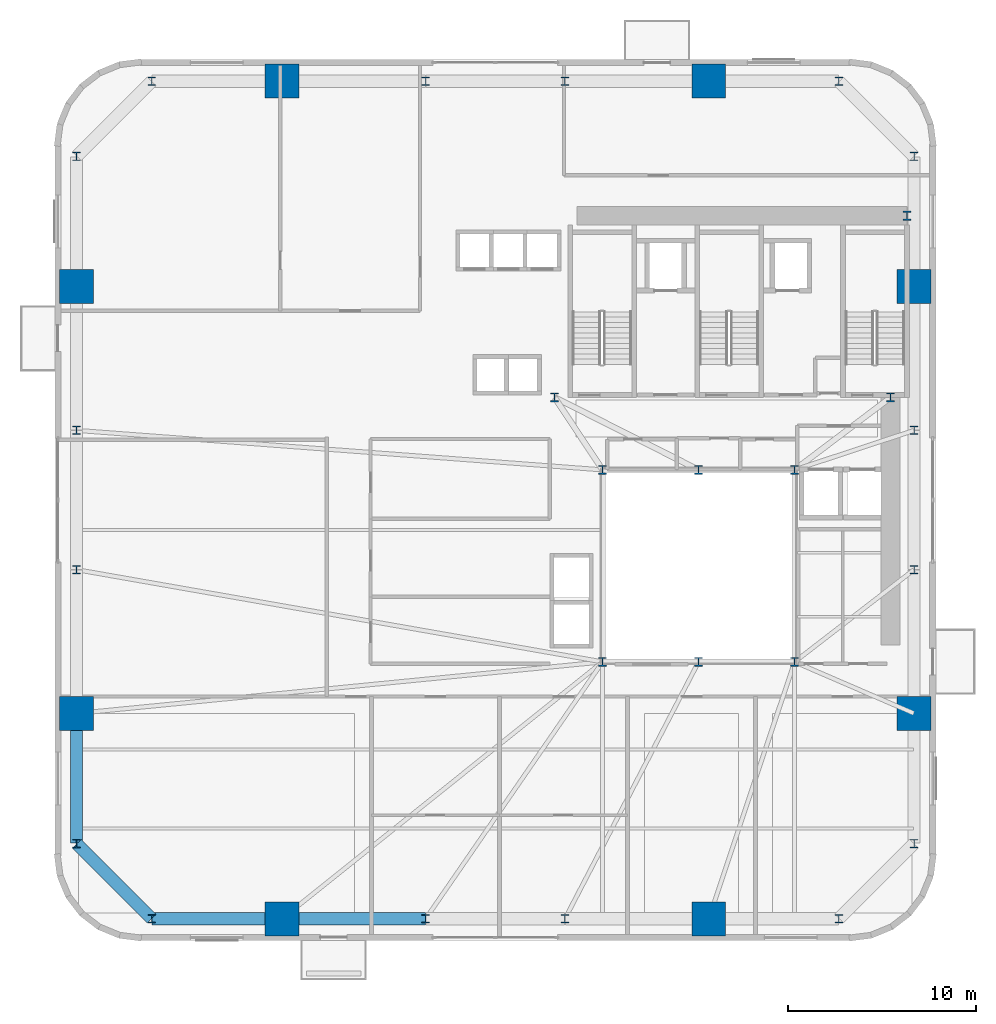
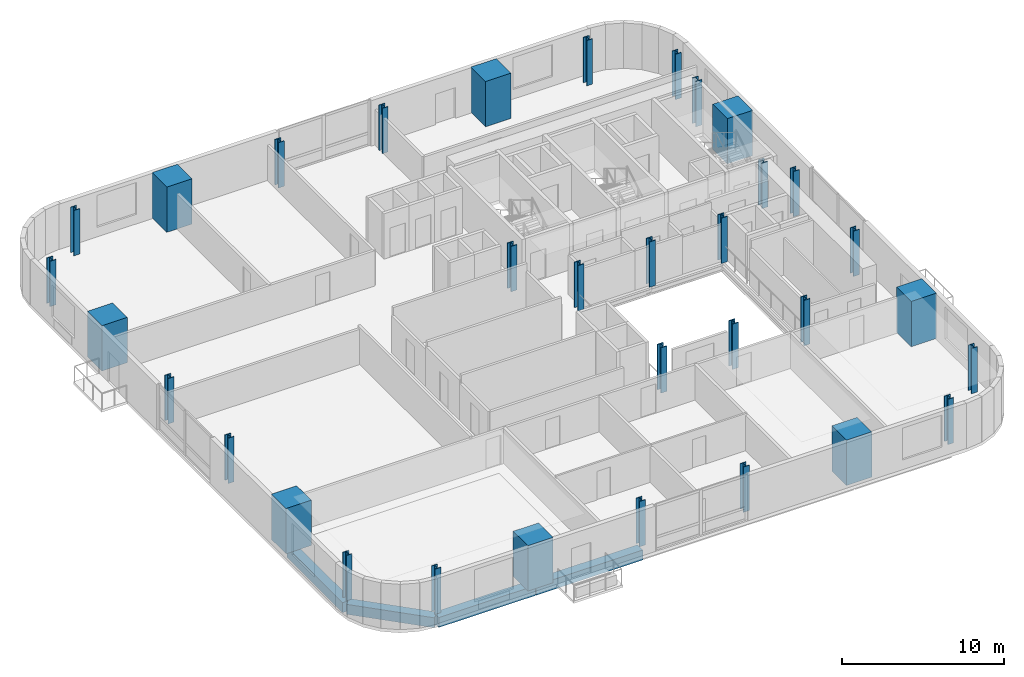
# One storey, part 1 of 11: 33 columns, 4 beams.
"""IFC4 building model written with IfcOpenShell, lengths in metres."""

from ifc_helpers import new_model, si_unit, direction, frame, origin, origin_2d, place, context, subcontext, project, spatial, rectangle, i_section, extrude, source, transform, mapped, material, material_profile, profile_set, type_object, element, save


model = new_model("IFC4")

# Units and contexts
model_context = context("Model", 3, precision=1e-05, world=origin(), true_north=direction((0.0, 1.0)))
body_context = subcontext(model_context, "Body", "Model", "MODEL_VIEW")
ifc_project = project(units=[si_unit("LENGTHUNIT", "METRE"), si_unit("AREAUNIT", "SQUARE_METRE"), si_unit("VOLUMEUNIT", "CUBIC_METRE"), si_unit("PLANEANGLEUNIT", "RADIAN"), si_unit("MASSUNIT", "GRAM", prefix="KILO")], contexts=[model_context])

# Site, building, storey
site_placement = place(None, origin())
site = spatial("IfcSite", under=ifc_project, at=site_placement, CompositionType="ELEMENT")
building_placement = place(site_placement, origin())
building = spatial("IfcBuilding", under=site, at=building_placement, Name="Vardaveli Station Tower", CompositionType="ELEMENT")
storey_placement = place(building_placement, frame((0.0, 0.0, 78.699951171875)))
storey = spatial("IfcBuildingStorey", under=building, at=storey_placement, Name="L20", CompositionType="ELEMENT", Elevation=78.699951171875)

# Columns
ifc_material_1 = material(Name="Structural steel S460M", Category="steel")
ifc_material_profile_1 = material_profile(ifc_material_1, i_section(OverallWidth=0.427978515625, OverallDepth=0.48095703125, WebThickness=0.03955078125, FlangeThickness=0.0634765625, FilletRadius=0.014892578125, at=origin_2d()), Name="HD 400x677")
ifc_profile_set_1 = profile_set([ifc_material_profile_1], Name="Structural steel S460M")
column_type_1 = type_object("IfcColumnType", Name="COL-HD677", PredefinedType="COLUMN", material=ifc_profile_set_1)
shared_shape_1 = source(origin(), body_context, "Body", "SweptSolid", [
    extrude(i_section(OverallWidth=0.427978515625, OverallDepth=0.48095703125, WebThickness=0.03955078125, FlangeThickness=0.0634765625, FilletRadius=0.014892578125, at=origin_2d()), origin(), (0.0, 0.0, 1.0), 3.41015625),
])
for number, where, z_axis, x_axis, name in (
    (1, (31.199951171875, 16.60009765625, 0.0), (0.0, 0.0, 1.0), (1.0, 0.0, 0.0), "COL-L20-AC1"),
    (2, (36.300048828125, 16.60009765625, 0.0), (0.0, 0.0, 1.0), (1.0, 0.0, 0.0), "COL-L20-AC2"),
    (3, (41.39990234375, 16.60009765625, 0.0), (0.0, 0.0, 1.0), (1.0, 0.0, 0.0), "COL-L20-AC3"),
    (4, (41.39990234375, 26.800048828125, 0.0), (0.0, 0.0, 1.0), (1.0, 0.0, 0.0), "COL-L20-AC4"),
    (5, (36.300048828125, 26.800048828125, 0.0), (0.0, 0.0, 1.0), (1.0, 0.0, 0.0), "COL-L20-AC5"),
    (6, (31.199951171875, 26.800048828125, 0.0), (0.0, 0.0, 1.0), (1.0, 0.0, 0.0), "COL-L20-AC6"),
    (7, (28.64990234375, 30.64990234375, 0.0), (0.0, 0.0, 1.0), (1.0, 0.0, 0.0), "COL-L20-CC1"),
    (8, (46.5, 30.64990234375, 0.0), (0.0, 0.0, 1.0), (1.0, 0.0, 0.0), "COL-L20-CC2"),
    (9, (47.3701171875, 40.300048828125, 0.0), (0.0, 0.0, 1.0), (1.0, 0.0, 0.0), "COL-L20-CC3"),
):
    element("IfcColumn", number, at=place(storey_placement, frame(where, z_axis=z_axis, x_axis=x_axis)), inside=storey, type_object=column_type_1, Name=name, PredefinedType="COLUMN", context=body_context, shape_type="MappedRepresentation", body=[
        mapped(shared_shape_1, transform((0.0, 0.0, 0.0), scale=1.0)),
    ])
ifc_material_2 = material(Name="Concrete C70/85", Category="concrete")
ifc_material_profile_2 = material_profile(ifc_material_2, rectangle(XDim=1.800048828125, YDim=1.800048828125, at=origin_2d()), Name="MC 1800x1800")
ifc_profile_set_2 = profile_set([ifc_material_profile_2], Name="Concrete C70/85")
column_type_2 = type_object("IfcColumnType", Name="COL-MC-1800", PredefinedType="COLUMN", material=ifc_profile_set_2)
shared_shape_2 = source(origin(), body_context, "Body", "SweptSolid", [
    extrude(rectangle(XDim=1.800048828125, YDim=1.800048828125, at=origin_2d()), origin(), (0.0, 0.0, 1.0), 3.41015625),
])
for number, where, z_axis, x_axis, name in (
    (10, (14.159912109375, 2.949951171875, 0.0), (0.0, 0.0, 1.0), (1.0, 0.0, 0.0), "COL-L20-MC1"),
    (11, (36.840087890625, 2.949951171875, 0.0), (0.0, 0.0, 1.0), (1.0, 0.0, 0.0), "COL-L20-MC2"),
    (12, (47.75, 13.860107421875, 0.0), (0.0, 0.0, 1.0), (1.0, 0.0, 0.0), "COL-L20-MC3"),
    (13, (47.75, 36.5400390625, 0.0), (0.0, 0.0, 1.0), (1.0, 0.0, 0.0), "COL-L20-MC4"),
    (14, (36.840087890625, 47.449951171875, 0.0), (0.0, 0.0, 1.0), (1.0, 0.0, 0.0), "COL-L20-MC5"),
    (15, (14.159912109375, 47.449951171875, 0.0), (0.0, 0.0, 1.0), (1.0, 0.0, 0.0), "COL-L20-MC6"),
    (16, (3.25, 36.5400390625, 0.0), (0.0, 0.0, 1.0), (1.0, 0.0, 0.0), "COL-L20-MC7"),
    (17, (3.25, 13.860107421875, 0.0), (0.0, 0.0, 1.0), (1.0, 0.0, 0.0), "COL-L20-MC8"),
):
    element("IfcColumn", number, at=place(storey_placement, frame(where, z_axis=z_axis, x_axis=x_axis)), inside=storey, type_object=column_type_2, Name=name, PredefinedType="COLUMN", context=body_context, shape_type="MappedRepresentation", body=[
        mapped(shared_shape_2, transform((0.0, 0.0, 0.0), scale=1.0)),
    ])
ifc_material_profile_3 = material_profile(ifc_material_1, i_section(OverallWidth=0.4189453125, OverallDepth=0.448974609375, WebThickness=0.030517578125, FlangeThickness=0.04833984375, FilletRadius=0.014892578125, at=origin_2d()), Name="HD 400x509")
ifc_profile_set_3 = profile_set([ifc_material_profile_3], Name="Structural steel S460M")
column_type_3 = type_object("IfcColumnType", Name="COL-HD509", PredefinedType="COLUMN", material=ifc_profile_set_3)
shared_shape_3 = source(origin(), body_context, "Body", "SweptSolid", [
    extrude(i_section(OverallWidth=0.4189453125, OverallDepth=0.448974609375, WebThickness=0.030517578125, FlangeThickness=0.04833984375, FilletRadius=0.014892578125, at=origin_2d()), origin(), (0.0, 0.0, 1.0), 3.41015625),
])
for number, where, z_axis, x_axis, name in (
    (18, (7.25, 2.949951171875, 0.0), (0.0, 0.0, 1.0), (1.0, 0.0, 0.0), "COL-L20-PC01"),
    (19, (21.800048828125, 2.949951171875, 0.0), (0.0, 0.0, 1.0), (1.0, 0.0, 0.0), "COL-L20-PC02"),
    (20, (29.199951171875, 2.949951171875, 0.0), (0.0, 0.0, 1.0), (1.0, 0.0, 0.0), "COL-L20-PC03"),
    (21, (43.75, 2.949951171875, 0.0), (0.0, 0.0, 1.0), (1.0, 0.0, 0.0), "COL-L20-PC04"),
    (22, (47.75, 6.949951171875, 0.0), (0.0, 0.0, 1.0), (1.0, 0.0, 0.0), "COL-L20-PC05"),
    (23, (47.75, 21.5, 0.0), (0.0, 0.0, 1.0), (1.0, 0.0, 0.0), "COL-L20-PC06"),
    (24, (47.75, 28.89990234375, 0.0), (0.0, 0.0, 1.0), (1.0, 0.0, 0.0), "COL-L20-PC07"),
    (25, (47.75, 43.449951171875, 0.0), (0.0, 0.0, 1.0), (1.0, 0.0, 0.0), "COL-L20-PC08"),
    (26, (43.75, 47.449951171875, 0.0), (0.0, 0.0, 1.0), (1.0, 0.0, 0.0), "COL-L20-PC09"),
    (27, (29.199951171875, 47.449951171875, 0.0), (0.0, 0.0, 1.0), (1.0, 0.0, 0.0), "COL-L20-PC10"),
    (28, (21.800048828125, 47.449951171875, 0.0), (0.0, 0.0, 1.0), (1.0, 0.0, 0.0), "COL-L20-PC11"),
    (29, (7.25, 47.449951171875, 0.0), (0.0, 0.0, 1.0), (1.0, 0.0, 0.0), "COL-L20-PC12"),
    (30, (3.25, 43.449951171875, 0.0), (0.0, 0.0, 1.0), (1.0, 0.0, 0.0), "COL-L20-PC13"),
    (31, (3.25, 28.89990234375, 0.0), (0.0, 0.0, 1.0), (1.0, 0.0, 0.0), "COL-L20-PC14"),
    (32, (3.25, 21.5, 0.0), (0.0, 0.0, 1.0), (1.0, 0.0, 0.0), "COL-L20-PC15"),
    (33, (3.25, 6.949951171875, 0.0), (0.0, 0.0, 1.0), (1.0, 0.0, 0.0), "COL-L20-PC16"),
):
    element("IfcColumn", number, at=place(storey_placement, frame(where, z_axis=z_axis, x_axis=x_axis)), inside=storey, type_object=column_type_3, Name=name, PredefinedType="COLUMN", context=body_context, shape_type="MappedRepresentation", body=[
        mapped(shared_shape_3, transform((0.0, 0.0, 0.0), scale=1.0)),
    ])

# Beams
ifc_material_3 = material(Name="Precast concrete C45/55", Category="concrete")
ifc_material_profile_4 = material_profile(ifc_material_3, rectangle(XDim=0.64990234375, YDim=0.75, at=origin_2d()), Name="LPB 650x750")
ifc_profile_set_4 = profile_set([ifc_material_profile_4], Name="Precast concrete C45/55")
beam_type = type_object("IfcBeamType", Name="BM-LPB-750", PredefinedType="BEAM", material=ifc_profile_set_4)
shared_shape_4 = source(origin(), body_context, "Body", "SweptSolid", [
    extrude(rectangle(XDim=0.64990234375, YDim=0.75, at=origin_2d()), origin(), (0.0, 0.0, 1.0), 7.60009765625),
])
beam_1_placement = place(storey_placement, frame((14.179931640625, 2.949951171875, -0.614990234375), z_axis=(1.0, 0.0, 0.0), x_axis=(0.0, 1.0, 0.0)))
element("IfcBeam", 34, at=beam_1_placement, inside=storey, type_object=beam_type, Name="RBM-L20-01", PredefinedType="BEAM", context=body_context, shape_type="MappedRepresentation", body=[
    mapped(shared_shape_4, transform((0.0, 0.0, 0.0), scale=1.0)),
])
shared_shape_5 = source(origin(), body_context, "Body", "SweptSolid", [
    extrude(rectangle(XDim=0.64990234375, YDim=0.75, at=origin_2d()), origin(), (0.0, 0.0, 1.0), 6.869873046875),
])
beam_2_placement = place(storey_placement, frame((7.27001953125, 2.949951171875, -0.614990234375), z_axis=(1.0, 0.0, 0.0), x_axis=(0.0, 1.0, 0.0)))
element("IfcBeam", 35, at=beam_2_placement, inside=storey, type_object=beam_type, Name="RBM-L20-24", PredefinedType="BEAM", context=body_context, shape_type="MappedRepresentation", body=[
    mapped(shared_shape_5, transform((0.0, 0.0, 0.0), scale=1.0)),
])
shared_shape_6 = source(origin(), body_context, "Body", "SweptSolid", [
    extrude(rectangle(XDim=0.64990234375, YDim=0.75, at=origin_2d()), origin(), (0.0, 0.0, 1.0), 5.61669921875),
])
beam_3_placement = place(storey_placement, frame((3.26416015625, 6.935791015625, -0.614990234375), z_axis=(0.707106781187, -0.707106781187, 0.0), x_axis=(0.707106781187, 0.707106781187, 0.0)))
element("IfcBeam", 36, at=beam_3_placement, inside=storey, type_object=beam_type, Name="RBM-L20-23", PredefinedType="BEAM", context=body_context, shape_type="MappedRepresentation", body=[
    mapped(shared_shape_6, transform((0.0, 0.0, 0.0), scale=1.0)),
])
shared_shape_7 = source(origin(), body_context, "Body", "SweptSolid", [
    extrude(rectangle(XDim=0.64990234375, YDim=0.75, at=origin_2d()), origin(), (0.0, 0.0, 1.0), 6.8701171875),
])
beam_4_placement = place(storey_placement, frame((3.25, 13.840087890625, -0.614990234375), z_axis=(0.0, -1.0, 0.0), x_axis=(1.0, 0.0, 0.0)))
element("IfcBeam", 37, at=beam_4_placement, inside=storey, type_object=beam_type, Name="RBM-L20-22", PredefinedType="BEAM", context=body_context, shape_type="MappedRepresentation", body=[
    mapped(shared_shape_7, transform((0.0, 0.0, 0.0), scale=1.0)),
])

save(model, "model.ifc")
